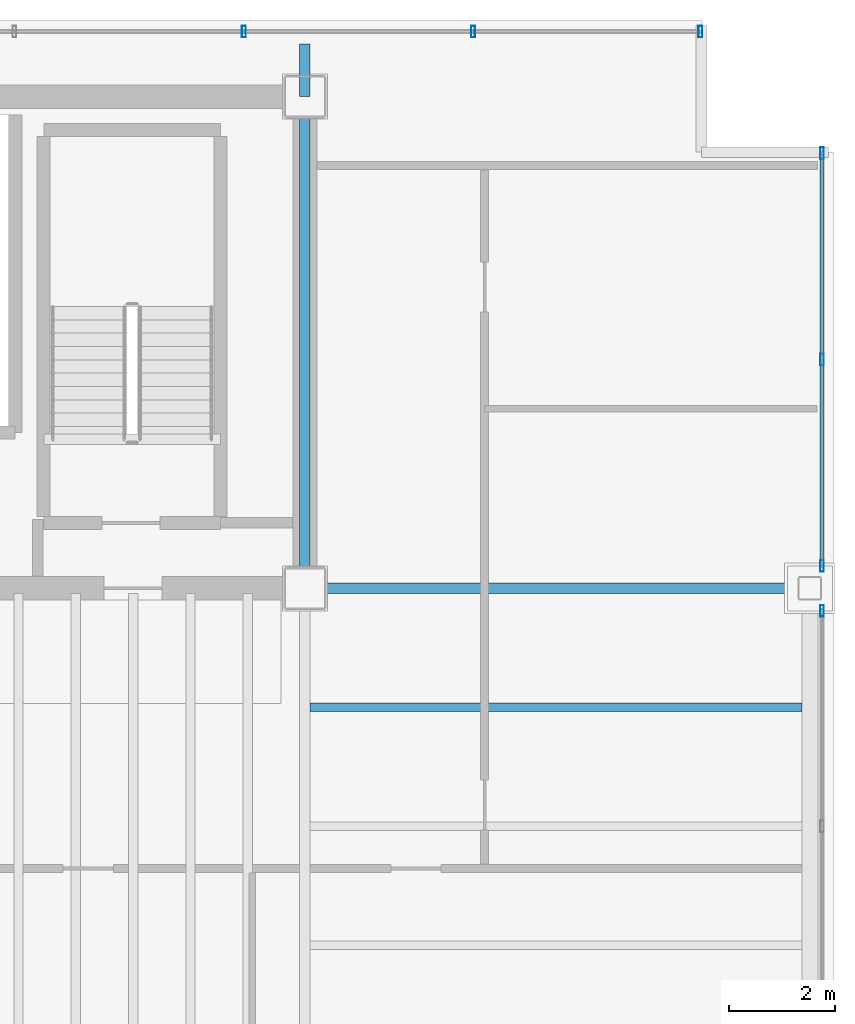
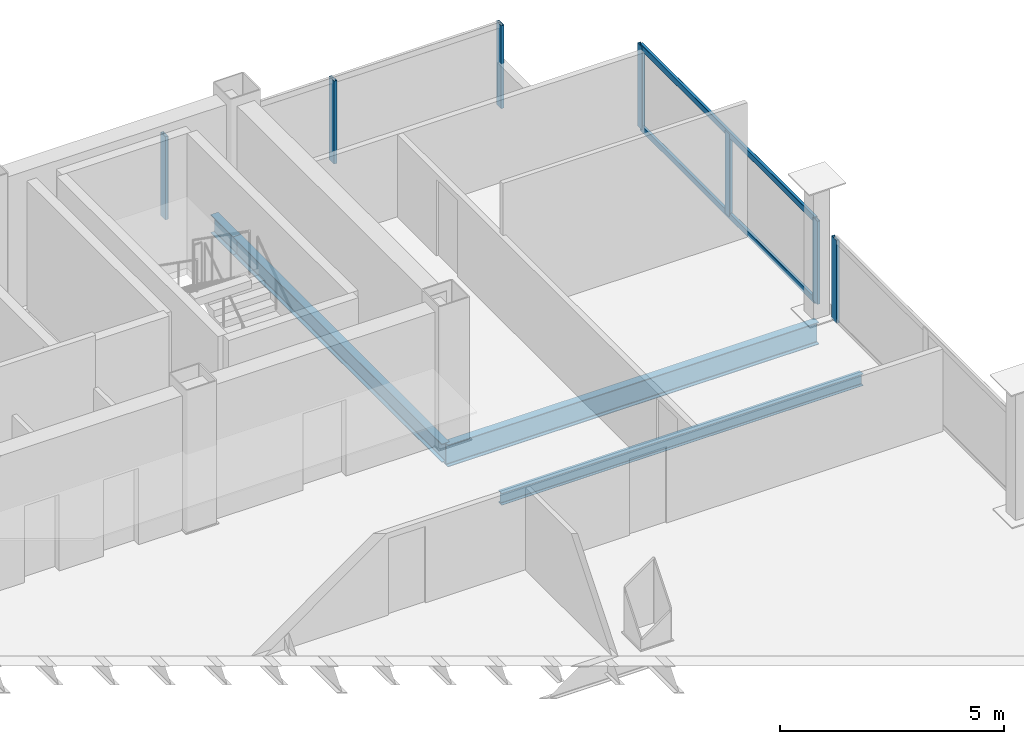
# One storey, part 12 of 17: 9 members, 4 beams, 3 elements without a shape of their own.
"""IFC4 building model written with IfcOpenShell, lengths in metres."""

from ifc_helpers import new_model, si_unit, direction, frame, origin, origin_2d, place, context, subcontext, project, spatial, hollow_rectangle, i_section, extrude, material, material_profile, profile_set, type_object, element, aggregate, save


model = new_model("IFC4")

# Units and contexts
model_context = context("Model", 3, precision=1e-05, world=origin(), true_north=direction((0.0, 1.0)))
body_context = subcontext(model_context, "Body", "Model", "MODEL_VIEW")
ifc_project = project(units=[si_unit("LENGTHUNIT", "METRE"), si_unit("AREAUNIT", "SQUARE_METRE"), si_unit("VOLUMEUNIT", "CUBIC_METRE"), si_unit("PLANEANGLEUNIT", "RADIAN"), si_unit("MASSUNIT", "GRAM", prefix="KILO")], contexts=[model_context])

# Site, building, storey
site_placement = place(None, origin())
site = spatial("IfcSite", under=ifc_project, at=site_placement, CompositionType="ELEMENT")
building_placement = place(site_placement, origin())
building = spatial("IfcBuilding", under=site, at=building_placement, Name="Noeulbin Bourse Tower", CompositionType="ELEMENT")
storey_placement = place(building_placement, frame((0.0, 0.0, 226.699951171875)))
storey = spatial("IfcBuildingStorey", under=building, at=storey_placement, Name="L56", CompositionType="ELEMENT", Elevation=226.699951171875)

# Beams
ifc_material_1 = material(Name="Steel S355", Category="steel")
ifc_material_profile_1 = material_profile(ifc_material_1, i_section(OverallWidth=0.199951171875, OverallDepth=0.5, WebThickness=0.010009765625, FlangeThickness=0.01611328125, FilletRadius=0.02001953125, at=origin_2d()), Name="H-500x200x10x16", Category="LoadBearing")
ifc_profile_set_1 = profile_set([ifc_material_profile_1], Name="Steel S355")
beam_type_1 = type_object("IfcBeamType", Name="BM-GRD-500", PredefinedType="USERDEFINED", material=ifc_profile_set_1)
beam_1_placement = place(storey_placement, frame((44.0, 29.0, -0.429931640625), z_axis=(0.0, 1.0, 0.0), x_axis=(-1.0, 0.0, 0.0)))
element("IfcBeam", 1, at=beam_1_placement, inside=storey, type_object=beam_type_1, Name="Tower Primary Girder NS L56-5.3", ObjectType="GIRDER", PredefinedType="USERDEFINED", context=body_context, shape_type="SweptSolid", body=[
    extrude(i_section(OverallWidth=0.199951171875, OverallDepth=0.5, WebThickness=0.010009765625, FlangeThickness=0.01611328125, FilletRadius=0.02001953125, at=origin_2d()), origin(), (0.0, 0.0, 1.0), 9.300048828125),
])
beam_2_placement = place(storey_placement, frame((44.0, 38.300048828125, -0.429931640625), z_axis=(0.0, 1.0, 0.0), x_axis=(-1.0, 0.0, 0.0)))
element("IfcBeam", 2, at=beam_2_placement, inside=storey, type_object=beam_type_1, Name="Tower Primary Girder NS L56-5.4", ObjectType="GIRDER", PredefinedType="USERDEFINED", context=body_context, shape_type="SweptSolid", body=[
    extrude(i_section(OverallWidth=0.199951171875, OverallDepth=0.5, WebThickness=0.010009765625, FlangeThickness=0.01611328125, FilletRadius=0.02001953125, at=origin_2d()), origin(), (0.0, 0.0, 1.0), 1.0),
])
ifc_material_profile_2 = material_profile(ifc_material_1, i_section(OverallWidth=0.199951171875, OverallDepth=0.60009765625, WebThickness=0.010986328125, FlangeThickness=0.01708984375, FilletRadius=0.02197265625, at=origin_2d()), Name="H-600x200x11x17", Category="LoadBearing")
ifc_profile_set_2 = profile_set([ifc_material_profile_2], Name="Steel S355")
beam_type_2 = type_object("IfcBeamType", Name="BM-GRD-600", PredefinedType="USERDEFINED", material=ifc_profile_set_2)
beam_3_placement = place(storey_placement, frame((44.0, 29.0, -0.47998046875), z_axis=(1.0, 0.0, 0.0), x_axis=(0.0, 1.0, 0.0)))
element("IfcBeam", 3, at=beam_3_placement, inside=storey, type_object=beam_type_2, Name="Tower Primary Girder EW L56-2.6", ObjectType="GIRDER", PredefinedType="USERDEFINED", context=body_context, shape_type="SweptSolid", body=[
    extrude(i_section(OverallWidth=0.199951171875, OverallDepth=0.60009765625, WebThickness=0.010986328125, FlangeThickness=0.01708984375, FilletRadius=0.02197265625, at=origin_2d()), origin(), (0.0, 0.0, 1.0), 9.550048828125),
])
ifc_material_profile_3 = material_profile(ifc_material_1, i_section(OverallWidth=0.159912109375, OverallDepth=0.320068359375, WebThickness=0.006591796875, FlangeThickness=0.010009765625, FilletRadius=0.012939453125, at=origin_2d()), Name="H-320x160x6.5x10", Category="LoadBearing")
ifc_profile_set_3 = profile_set([ifc_material_profile_3], Name="Steel S355")
beam_type_3 = type_object("IfcBeamType", Name="BM-JST-320", PredefinedType="JOIST", material=ifc_profile_set_3)
beam_4_placement = place(storey_placement, frame((44.10009765625, 26.75, -0.33984375), z_axis=(1.0, 0.0, 0.0), x_axis=(0.0, 1.0, 0.0)))
element("IfcBeam", 4, at=beam_4_placement, inside=storey, type_object=beam_type_3, Name="Wing Composite Joist L56-E52", PredefinedType="JOIST", context=body_context, shape_type="SweptSolid", body=[
    extrude(i_section(OverallWidth=0.159912109375, OverallDepth=0.320068359375, WebThickness=0.006591796875, FlangeThickness=0.010009765625, FilletRadius=0.012939453125, at=origin_2d()), origin(), (0.0, 0.0, 1.0), 9.2998046875),
])

# Curtain wall, members
ifc_material_2 = material(Name="High-Selectivity Low-Iron Glazing", Category="glass")
curtain_wall_type = type_object("IfcCurtainWallType", Name="CW-SYS-4", PredefinedType="NOTDEFINED", material=ifc_material_2)
curtain_wall_1_placement = place(storey_placement, origin())
curtain_wall_1 = element("IfcCurtainWall", 5, at=curtain_wall_1_placement, inside=storey, type_object=curtain_wall_type, Name="Unitised Curtain Wall CW-L56-N", PredefinedType="NOTDEFINED")
ifc_material_3 = material(Name="Anodised Aluminium 6063-T6", Category="aluminium")
ifc_material_profile_4 = material_profile(ifc_material_3, hollow_rectangle(XDim=0.074951171875, YDim=0.219970703125, WallThickness=0.0048828125, InnerFilletRadius=0.00244140625, OuterFilletRadius=0.0048828125, at=origin_2d()), Name="ALU-MULL-75x220x5", Category="LoadBearing")
ifc_profile_set_4 = profile_set([ifc_material_profile_4], Name="Anodised Aluminium 6063-T6")
member_type_1 = type_object("IfcMemberType", Name="CW-SYS-4-MUL", PredefinedType="MULLION", material=ifc_profile_set_4)
member_1_placement = place(storey_placement, frame((42.844482421875, 39.530029296875, -0.02001953125), z_axis=(0.0, 0.0, 1.0), x_axis=(1.0, 0.0, 0.0)))
member_1 = element("IfcMember", 6, at=member_1_placement, type_object=member_type_1, Name="Curtain Wall Mullion CW-L56-N-M07", PredefinedType="MULLION", context=body_context, shape_type="SweptSolid", body=[
    extrude(hollow_rectangle(XDim=0.074951171875, YDim=0.219970703125, WallThickness=0.0048828125, InnerFilletRadius=0.00244140625, OuterFilletRadius=0.0048828125, at=origin_2d()), origin(), (0.0, 0.0, 1.0), 2.260009765625),
])
member_2_placement = place(storey_placement, frame((47.18212890625, 39.530029296875, -0.02001953125), z_axis=(0.0, 0.0, 1.0), x_axis=(1.0, 0.0, 0.0)))
member_2 = element("IfcMember", 7, at=member_2_placement, type_object=member_type_1, Name="Curtain Wall Mullion CW-L56-N-M08", PredefinedType="MULLION", context=body_context, shape_type="SweptSolid", body=[
    extrude(hollow_rectangle(XDim=0.074951171875, YDim=0.219970703125, WallThickness=0.0048828125, InnerFilletRadius=0.00244140625, OuterFilletRadius=0.0048828125, at=origin_2d()), origin(), (0.0, 0.0, 1.0), 2.260009765625),
])
member_3_placement = place(storey_placement, frame((51.47998046875, 39.530029296875, -0.02001953125), z_axis=(0.0, 0.0, 1.0), x_axis=(1.0, 0.0, 0.0)))
member_3 = element("IfcMember", 8, at=member_3_placement, type_object=member_type_1, Name="Curtain Wall Mullion CW-L56-N-M09", PredefinedType="MULLION", context=body_context, shape_type="SweptSolid", body=[
    extrude(hollow_rectangle(XDim=0.074951171875, YDim=0.219970703125, WallThickness=0.0048828125, InnerFilletRadius=0.00244140625, OuterFilletRadius=0.0048828125, at=origin_2d()), origin(), (0.0, 0.0, 1.0), 2.260009765625),
])
aggregate(curtain_wall_1, [member_1, member_2, member_3])

# Curtain wall, member
curtain_wall_2_placement = place(storey_placement, origin())
curtain_wall_2 = element("IfcCurtainWall", 9, at=curtain_wall_2_placement, inside=storey, type_object=curtain_wall_type, Name="Unitised Curtain Wall CW-L56-E-S2", PredefinedType="NOTDEFINED")
member_4_placement = place(storey_placement, frame((53.780029296875, 28.574951171875, -0.02001953125), z_axis=(0.0, 0.0, 1.0), x_axis=(1.0, 0.0, 0.0)))
member_4 = element("IfcMember", 10, at=member_4_placement, type_object=member_type_1, Name="Curtain Wall Mullion CW-L56-E-S2-M02", PredefinedType="MULLION", context=body_context, shape_type="SweptSolid", body=[
    extrude(hollow_rectangle(XDim=0.074951171875, YDim=0.219970703125, WallThickness=0.0048828125, InnerFilletRadius=0.00244140625, OuterFilletRadius=0.0048828125, at=origin_2d()), origin(), (0.0, 0.0, 1.0), 2.260009765625),
])
aggregate(curtain_wall_2, [member_4])

# Curtain wall, members
curtain_wall_3_placement = place(storey_placement, origin())
curtain_wall_3 = element("IfcCurtainWall", 11, at=curtain_wall_3_placement, inside=storey, type_object=curtain_wall_type, Name="Unitised Curtain Wall CW-L56-E-S3", PredefinedType="NOTDEFINED")
member_5_placement = place(storey_placement, frame((53.780029296875, 29.425048828125, -0.02001953125), z_axis=(0.0, 0.0, 1.0), x_axis=(1.0, 0.0, 0.0)))
member_5 = element("IfcMember", 12, at=member_5_placement, type_object=member_type_1, Name="Curtain Wall Mullion CW-L56-E-S3-M00", PredefinedType="MULLION", context=body_context, shape_type="SweptSolid", body=[
    extrude(hollow_rectangle(XDim=0.074951171875, YDim=0.219970703125, WallThickness=0.0048828125, InnerFilletRadius=0.00244140625, OuterFilletRadius=0.0048828125, at=origin_2d()), origin(), (0.0, 0.0, 1.0), 2.260009765625),
])
member_6_placement = place(storey_placement, frame((53.780029296875, 33.327392578125, -0.02001953125), z_axis=(0.0, 0.0, 1.0), x_axis=(1.0, 0.0, 0.0)))
member_6 = element("IfcMember", 13, at=member_6_placement, type_object=member_type_1, Name="Curtain Wall Mullion CW-L56-E-S3-M01", PredefinedType="MULLION", context=body_context, shape_type="SweptSolid", body=[
    extrude(hollow_rectangle(XDim=0.074951171875, YDim=0.219970703125, WallThickness=0.0048828125, InnerFilletRadius=0.00244140625, OuterFilletRadius=0.0048828125, at=origin_2d()), origin(), (0.0, 0.0, 1.0), 2.260009765625),
])
member_7_placement = place(storey_placement, frame((53.780029296875, 37.22998046875, -0.02001953125), z_axis=(0.0, 0.0, 1.0), x_axis=(1.0, 0.0, 0.0)))
member_7 = element("IfcMember", 14, at=member_7_placement, type_object=member_type_1, Name="Curtain Wall Mullion CW-L56-E-S3-M02", PredefinedType="MULLION", context=body_context, shape_type="SweptSolid", body=[
    extrude(hollow_rectangle(XDim=0.074951171875, YDim=0.219970703125, WallThickness=0.0048828125, InnerFilletRadius=0.00244140625, OuterFilletRadius=0.0048828125, at=origin_2d()), origin(), (0.0, 0.0, 1.0), 2.260009765625),
])
ifc_material_profile_5 = material_profile(ifc_material_3, hollow_rectangle(XDim=0.074951171875, YDim=0.159912109375, WallThickness=0.0048828125, InnerFilletRadius=0.00244140625, OuterFilletRadius=0.0048828125, at=origin_2d()), Name="ALU-TRAN-75x160x5", Category="LoadBearing")
ifc_profile_set_5 = profile_set([ifc_material_profile_5], Name="Anodised Aluminium 6063-T6")
member_type_2 = type_object("IfcMemberType", Name="CW-SYS-4-TRN", PredefinedType="USERDEFINED", material=ifc_profile_set_5)
member_8_placement = place(storey_placement, frame((53.780029296875, 29.43505859375, 0.010009765625), z_axis=(0.0, 1.0, 0.0), x_axis=(-1.0, 0.0, 0.0)))
member_8 = element("IfcMember", 15, at=member_8_placement, type_object=member_type_2, Name="Curtain Wall Transom CW-L56-E-S3-T00", ObjectType="TRANSOM", PredefinedType="USERDEFINED", context=body_context, shape_type="SweptSolid", body=[
    extrude(hollow_rectangle(XDim=0.074951171875, YDim=0.159912109375, WallThickness=0.0048828125, InnerFilletRadius=0.00244140625, OuterFilletRadius=0.0048828125, at=origin_2d()), origin(), (0.0, 0.0, 1.0), 7.784912109375),
])
member_9_placement = place(storey_placement, frame((53.780029296875, 29.43505859375, 2.2099609375), z_axis=(0.0, 1.0, 0.0), x_axis=(-1.0, 0.0, 0.0)))
member_9 = element("IfcMember", 16, at=member_9_placement, type_object=member_type_2, Name="Curtain Wall Transom CW-L56-E-S3-T01", ObjectType="TRANSOM", PredefinedType="USERDEFINED", context=body_context, shape_type="SweptSolid", body=[
    extrude(hollow_rectangle(XDim=0.074951171875, YDim=0.159912109375, WallThickness=0.0048828125, InnerFilletRadius=0.00244140625, OuterFilletRadius=0.0048828125, at=origin_2d()), origin(), (0.0, 0.0, 1.0), 7.784912109375),
])
aggregate(curtain_wall_3, [member_5, member_6, member_7, member_8, member_9])

save(model, "model.ifc")
